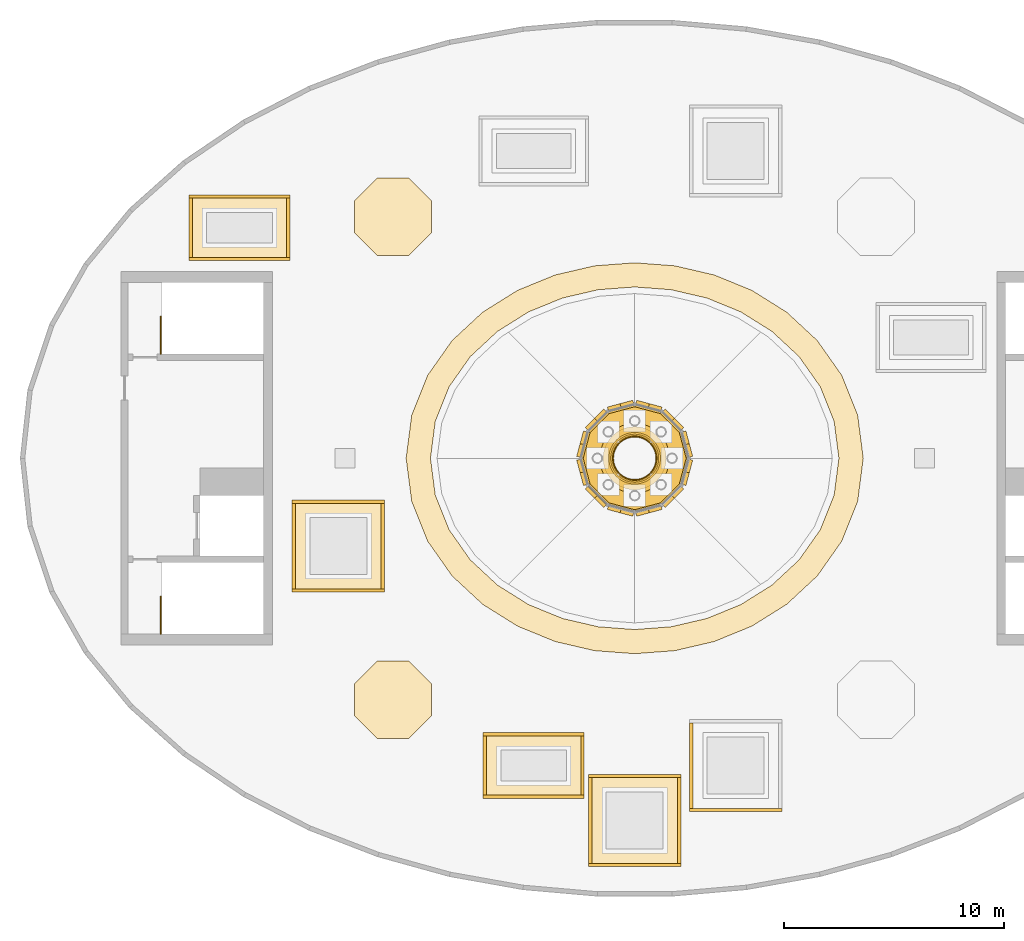
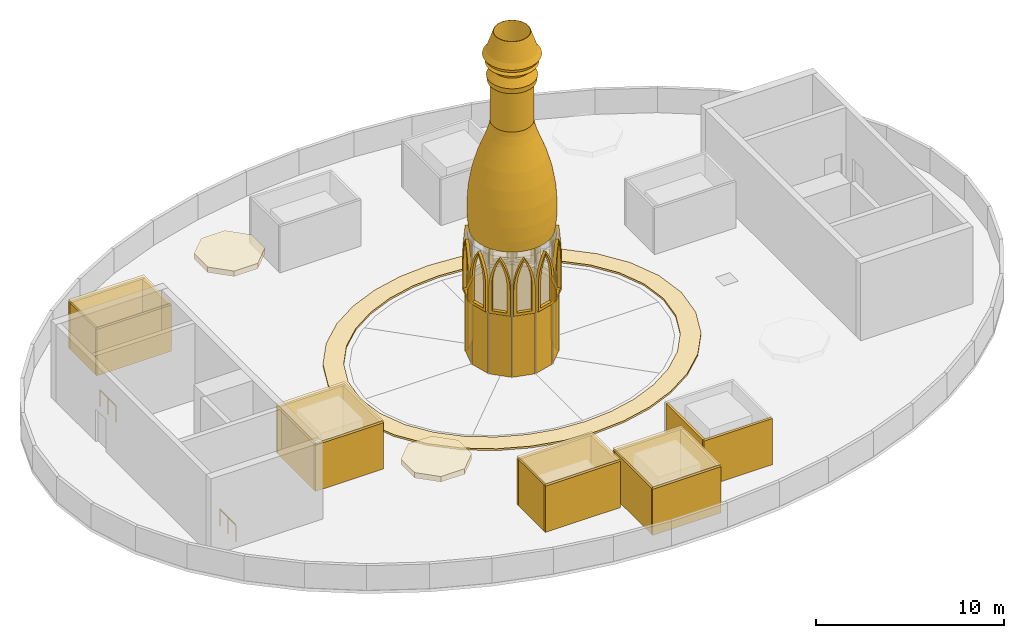
# One storey, part 5 of 7: 41 coverings, 12 shading devices, 2 railings, 12 elements without a shape of their own.
"""IFC4 building model written with IfcOpenShell, lengths in metres."""

import ifcopenshell
import ifcopenshell.guid

model = None  # the IFC model being written
_history = None  # IfcOwnerHistory: only IFC2X3 demands one
_inside = {}  # id of a spatial element -> (the spatial element, [elements in it])
_under = {}  # id of a project, library or spatial element -> (it, [spatial elements below it])
_declared = {}  # id of a project -> (the project, [libraries it declares])
_typed = {}  # id of a type object -> (the type object, [elements of that type])
_made_of = {}  # id of a material, layer set ... -> (it, [elements and type objects made of it])


def new_model(schema):
    """Start an empty IFC model of exactly this schema.

    Asked for "IFC4X3", IfcOpenShell would pick the latest addendum, in which some entities
    have other attributes; the version numbers below select the first issue.
    IFC2X3 requires an IfcOwnerHistory on every rooted entity: one is made here for all.
    """
    global model, _history
    if schema == "IFC4X3":
        model = ifcopenshell.file(schema_version=(4, 3, 0, 0))
    else:
        model = ifcopenshell.file(schema=schema)
    _inside.clear()
    _under.clear()
    _declared.clear()
    _typed.clear()
    _made_of.clear()
    _history = None
    if model.schema == "IFC2X3":
        org = make("IfcOrganization", Name="unknown")
        user = make(
            "IfcPersonAndOrganization",
            ThePerson=make("IfcPerson", FamilyName="unknown"),
            TheOrganization=org,
        )
        app = make(
            "IfcApplication",
            ApplicationDeveloper=org,
            Version="unknown",
            ApplicationFullName="unknown",
            ApplicationIdentifier="unknown",
        )
        _history = make(
            "IfcOwnerHistory",
            OwningUser=user,
            OwningApplication=app,
            ChangeAction="ADDED",
            CreationDate=0,
        )
    return model


def make(cls, **values):
    """One entity of the class cls with the attributes given. An attribute that is None is left unset."""
    return model.create_entity(
        cls, **{name: value for name, value in values.items() if value is not None}
    )


def entity(cls, *values):
    """Any entity or typed value of the class cls, its attributes in the order of the schema. None: left unset."""
    e = model.create_entity(cls)
    for i, value in enumerate(values):
        if value is not None:
            e[i] = value
    return e


def rooted(cls, **values):
    """An entity with a GlobalId (a new one), such as an element, a storey or a relation."""
    return make(cls, GlobalId=ifcopenshell.guid.new(), OwnerHistory=_history, **values)


def si_unit(unit_type, name, prefix=None):
    """IfcSIUnit, for example si_unit("LENGTHUNIT", "METRE", prefix="MILLI")."""
    return make("IfcSIUnit", UnitType=unit_type, Prefix=prefix, Name=name)


def assignment(units):
    """IfcUnitAssignment: the units of a project."""
    return None if units is None else make("IfcUnitAssignment", Units=units)


def point(xyz):
    """IfcCartesianPoint."""
    return None if xyz is None else make("IfcCartesianPoint", Coordinates=xyz)


def direction(xyz):
    """IfcDirection."""
    return None if xyz is None else make("IfcDirection", DirectionRatios=xyz)


def frame(location, z_axis=None, x_axis=None):
    """IfcAxis2Placement3D, a coordinate frame: its origin and axes. An axis left out is left unset."""
    return make(
        "IfcAxis2Placement3D",
        Location=point(location),
        Axis=direction(z_axis),
        RefDirection=direction(x_axis),
    )


def frame_2d(location, x_axis=None):
    """IfcAxis2Placement2D, a coordinate frame in the plane: its origin and x axis."""
    return make(
        "IfcAxis2Placement2D", Location=point(location), RefDirection=direction(x_axis)
    )


def origin():
    """The frame at (0, 0, 0) with its axes left unset."""
    return frame((0.0, 0.0, 0.0))


def origin_2d():
    """The frame at (0, 0) in the plane with its x axis left unset."""
    return frame_2d((0.0, 0.0))


def place(relative_to, where):
    """IfcLocalPlacement: puts the frame where relative to a parent placement (None: the world)."""
    return make(
        "IfcLocalPlacement", PlacementRelTo=relative_to, RelativePlacement=where
    )


def context(
    kind, dimensions, precision=None, world=None, true_north=None, identifier=None
):
    """IfcGeometricRepresentationContext, for example the 3D "Model" context."""
    return make(
        "IfcGeometricRepresentationContext",
        ContextIdentifier=identifier,
        ContextType=kind,
        CoordinateSpaceDimension=dimensions,
        Precision=precision,
        WorldCoordinateSystem=world,
        TrueNorth=true_north,
    )


def subcontext(parent, identifier, kind, view, scale=None):
    """IfcGeometricRepresentationSubContext, for example "Body" below "Model"."""
    return make(
        "IfcGeometricRepresentationSubContext",
        ContextIdentifier=identifier,
        ContextType=kind,
        ParentContext=parent,
        TargetScale=scale,
        TargetView=view,
    )


def project(units=None, contexts=None):
    """IfcProject with its units and contexts."""
    return rooted(
        "IfcProject",
        Name="project",
        RepresentationContexts=contexts,
        UnitsInContext=assignment(units),
    )


def spatial(cls, under=None, at=None, **own):
    """A site, building, storey or space (cls), placed at a placement, below another one or the project."""
    s = rooted(cls, ObjectPlacement=at, **own)
    if under is not None:
        _under.setdefault(under.id(), (under, []))[1].append(s)
    return s


def polyline(points):
    """IfcPolyline through the points."""
    return make("IfcPolyline", Points=[point(p) for p in points])


def profile(cls, at=None, kind="AREA", **sizes):
    """A parametric profile (cls). Its sizes go by their IFC names, for example OverallWidth=200.0."""
    return make(cls, ProfileType=kind, Position=at, **sizes)


def rectangle(**sizes):
    """IfcRectangleProfileDef."""
    return profile("IfcRectangleProfileDef", **sizes)


def outline(outer, holes=None, kind="AREA"):
    """IfcArbitraryClosedProfileDef: a profile drawn as a closed curve; with holes, ...WithVoids."""
    if holes is None:
        return make("IfcArbitraryClosedProfileDef", ProfileType=kind, OuterCurve=outer)
    return make(
        "IfcArbitraryProfileDefWithVoids",
        ProfileType=kind,
        OuterCurve=outer,
        InnerCurves=holes,
    )


def extrude(swept, where, along, depth):
    """IfcExtrudedAreaSolid: the profile swept, set in the frame where, extruded along a direction by depth."""
    return make(
        "IfcExtrudedAreaSolid",
        SweptArea=swept,
        Position=where,
        ExtrudedDirection=direction(along),
        Depth=depth,
    )


def shape(context_of_items, identifier, shape_type, items):
    """IfcShapeRepresentation: the items that make up one representation, for example the "Body"."""
    return make(
        "IfcShapeRepresentation",
        ContextOfItems=context_of_items,
        RepresentationIdentifier=identifier,
        RepresentationType=shape_type,
        Items=items,
    )


def material(Name=None, Category=None):
    """IfcMaterial."""
    return make("IfcMaterial", Name=Name, Category=Category)


def layer(
    of_material, thickness, ventilated=None, Name=None, Category=None, Priority=None
):
    """IfcMaterialLayer: one layer of a wall or slab, of a material (None: an air gap)."""
    return make(
        "IfcMaterialLayer",
        Material=of_material,
        LayerThickness=thickness,
        IsVentilated=ventilated,
        Name=Name,
        Category=Category,
        Priority=Priority,
    )


def layer_set(layers, Name=None):
    """IfcMaterialLayerSet."""
    return make("IfcMaterialLayerSet", MaterialLayers=layers, LayerSetName=Name)


def made_of(thing, what):
    """Note that an element or type object is made of a material, layer set ...; save() writes the relation."""
    if what is not None:
        _made_of.setdefault(what.id(), (what, []))[1].append(thing)
    return thing


def type_object(cls, material=None, **own):
    """A type object (cls), such as IfcWallType, which elements share."""
    return made_of(rooted(cls, **own), material)


def element(
    cls,
    number,
    at=None,
    inside=None,
    cuts=None,
    type_object=None,
    material=None,
    context=None,
    identifier="Body",
    shape_type=None,
    held_by="IfcProductDefinitionShape",
    body=None,
    shapes=None,
    **own,
):
    """One element of the class cls, such as IfcWall. Its Tag is "e" and its number.

    at: its placement. inside: the storey or other place that contains it. cuts: it is an
    opening in that element (IfcRelVoidsElement). A single representation is given by context,
    identifier, shape_type and body (its items); several are given by shapes. held_by: the class
    of the entity that holds the representations. save() writes the other relations.
    """
    e = rooted(cls, Tag="e%d" % number, ObjectPlacement=at, **own)
    if body is not None:
        shapes = [shape(context, identifier, shape_type, body)]
    if shapes is not None:
        e.Representation = make(held_by, Representations=shapes)
    if inside is not None:
        _inside.setdefault(inside.id(), (inside, []))[1].append(e)
    if cuts is not None:
        rooted(
            "IfcRelVoidsElement", RelatingBuildingElement=cuts, RelatedOpeningElement=e
        )
    if type_object is not None:
        _typed.setdefault(type_object.id(), (type_object, []))[1].append(e)
    return made_of(e, material)


def aggregate(whole, parts):
    """IfcRelAggregates: a whole, such as a stair, and the parts it consists of."""
    return rooted("IfcRelAggregates", RelatingObject=whole, RelatedObjects=parts)


def save(model, path):
    """Write the relations noted so far, then the file.

    IfcRelAggregates (storeys below a building ...), IfcRelContainedInSpatialStructure (elements
    in a storey), IfcRelDefinesByType, IfcRelAssociatesMaterial and IfcRelDeclares: one each for
    every whole, place, type object, material and project.
    """
    for whole, parts in _under.values():
        aggregate(whole, parts)
    for where, things in _inside.values():
        rooted(
            "IfcRelContainedInSpatialStructure",
            RelatedElements=things,
            RelatingStructure=where,
        )
    for kind, things in _typed.values():
        rooted("IfcRelDefinesByType", RelatedObjects=things, RelatingType=kind)
    for what, things in _made_of.values():
        rooted("IfcRelAssociatesMaterial", RelatedObjects=things, RelatingMaterial=what)
    for by, libraries in _declared.values():
        rooted("IfcRelDeclares", RelatingContext=by, RelatedDefinitions=libraries)
    model.write(path)


model = new_model("IFC4")

# Units and contexts
model_context = context("Model", 3, precision=1e-05, world=origin(), true_north=direction((0.0, 1.0)))
body_context = subcontext(model_context, "Body", "Model", "MODEL_VIEW")
ifc_project = project(units=[si_unit("LENGTHUNIT", "METRE"), si_unit("AREAUNIT", "SQUARE_METRE"), si_unit("VOLUMEUNIT", "CUBIC_METRE"), si_unit("PLANEANGLEUNIT", "RADIAN"), si_unit("MASSUNIT", "GRAM", prefix="KILO")], contexts=[model_context])

# Site, building, storey
site_placement = place(None, origin())
site = spatial("IfcSite", under=ifc_project, at=site_placement, CompositionType="ELEMENT")
building_placement = place(site_placement, origin())
building = spatial("IfcBuilding", under=site, at=building_placement, Name="Noorbagh Ring Tower", CompositionType="ELEMENT")
storey_placement = place(building_placement, frame((0.0, 0.0, 356.5)))
storey = spatial("IfcBuildingStorey", under=building, at=storey_placement, Name="L78", CompositionType="ELEMENT", Elevation=356.5)

# Railings
ifc_material_1 = material(Name="Stainless steel", Category="steel")
railing_type = type_object("IfcRailingType", Name="CORE-STAIR-GUARD", PredefinedType="GUARDRAIL", material=ifc_material_1)
for number, where, name in (
    (1, (-21.580078125, 4.75, 0.0), "L78 ST1 top well guard"),
    (2, (-21.580078125, -8.0, 0.0), "L78 ST2 top well guard"),
):
    element("IfcRailing", number, at=place(storey_placement, frame(where)), inside=storey, type_object=railing_type, Name=name, PredefinedType="GUARDRAIL", context=body_context, shape_type="SweptSolid", body=[
        extrude(rectangle(XDim=0.048095703125, YDim=0.048095703125, at=origin_2d()), frame((0.0, 0.0, 1.076171875), z_axis=(0.0, 1.0, 0.0), x_axis=(-1.0, 0.0, 0.0)), (0.0, 0.0, 1.0), 1.699951171875),
        extrude(rectangle(XDim=0.0419921875, YDim=0.0419921875, at=origin_2d()), origin(), (0.0, 0.0, 1.0), 1.052001953125),
        extrude(rectangle(XDim=0.0419921875, YDim=0.0419921875, at=origin_2d()), frame((0.0, 0.85009765625, 0.0)), (0.0, 0.0, 1.0), 1.052001953125),
        extrude(rectangle(XDim=0.0419921875, YDim=0.0419921875, at=origin_2d()), frame((0.0, 1.699951171875, 0.0)), (0.0, 0.0, 1.0), 1.052001953125),
    ])

# Curtain wall, covering
ifc_material_2 = material(Name="Aluminium 6063-T6 black anodised and glass", Category="aluminium")
ifc_layer_1 = layer(ifc_material_2, 0.14990234375)
ifc_layer_set_1 = layer_set([ifc_layer_1], Name="Aluminium 6063-T6 black anodised and glass")
curtain_wall_type = type_object("IfcCurtainWallType", Name="ENV-CW-D", PredefinedType="NOTDEFINED", material=ifc_layer_set_1)
curtain_wall_1_placement = place(storey_placement, origin())
curtain_wall_1 = element("IfcCurtainWall", 3, at=curtain_wall_1_placement, inside=storey, type_object=curtain_wall_type, Name="Curtain wall D drum 01", PredefinedType="NOTDEFINED")
ifc_material_3 = material(Name="Aluminium 6063-T6 black anodised", Category="aluminium")
ifc_layer_2 = layer(ifc_material_3, 0.14990234375)
ifc_layer_set_2 = layer_set([ifc_layer_2], Name="Aluminium 6063-T6 black anodised")
covering_type_1 = type_object("IfcCoveringType", Name="ENV-LOUVRE-DRUM", PredefinedType="CLADDING", material=ifc_layer_set_2)
covering_1_placement = place(storey_placement, frame((2.260009765625, 0.60546875, 0.0), z_axis=(0.0, 0.0, 1.0), x_axis=(-0.258819045103, 0.965925826289, 0.0)))
covering_1 = element("IfcCovering", 4, at=covering_1_placement, type_object=covering_type_1, Name="Louvre drum chord 01", ObjectType="LOUVRE", PredefinedType="CLADDING", context=body_context, shape_type="SweptSolid", body=[
    extrude(rectangle(XDim=1.2138671875, YDim=0.14990234375, at=origin_2d()), origin(), (0.0, 0.0, 1.0), 3.949951171875),
])
aggregate(curtain_wall_1, [covering_1])

curtain_wall_2_placement = place(storey_placement, origin())
curtain_wall_2 = element("IfcCurtainWall", 5, at=curtain_wall_2_placement, inside=storey, type_object=curtain_wall_type, Name="Curtain wall D drum 02", PredefinedType="NOTDEFINED")
covering_2_placement = place(storey_placement, frame((1.654541015625, 1.654541015625, 0.0), z_axis=(0.0, 0.0, 1.0), x_axis=(-0.707106781187, 0.707106781187, 0.0)))
covering_2 = element("IfcCovering", 6, at=covering_2_placement, type_object=covering_type_1, Name="Louvre drum chord 02", ObjectType="LOUVRE", PredefinedType="CLADDING", context=body_context, shape_type="SweptSolid", body=[
    extrude(rectangle(XDim=1.2138671875, YDim=0.14990234375, at=origin_2d()), origin(), (0.0, 0.0, 1.0), 3.949951171875),
])
aggregate(curtain_wall_2, [covering_2])

curtain_wall_3_placement = place(storey_placement, origin())
curtain_wall_3 = element("IfcCurtainWall", 7, at=curtain_wall_3_placement, inside=storey, type_object=curtain_wall_type, Name="Curtain wall D drum 03", PredefinedType="NOTDEFINED")
covering_3_placement = place(storey_placement, frame((0.60546875, 2.260009765625, 0.0), z_axis=(0.0, 0.0, 1.0), x_axis=(-0.965925826289, 0.258819045103, 0.0)))
covering_3 = element("IfcCovering", 8, at=covering_3_placement, type_object=covering_type_1, Name="Louvre drum chord 03", ObjectType="LOUVRE", PredefinedType="CLADDING", context=body_context, shape_type="SweptSolid", body=[
    extrude(rectangle(XDim=1.2138671875, YDim=0.14990234375, at=origin_2d()), origin(), (0.0, 0.0, 1.0), 3.949951171875),
])
aggregate(curtain_wall_3, [covering_3])

curtain_wall_4_placement = place(storey_placement, origin())
curtain_wall_4 = element("IfcCurtainWall", 9, at=curtain_wall_4_placement, inside=storey, type_object=curtain_wall_type, Name="Curtain wall D drum 04", PredefinedType="NOTDEFINED")
covering_4_placement = place(storey_placement, frame((-0.60546875, 2.260009765625, 0.0), z_axis=(0.0, 0.0, 1.0), x_axis=(-0.965925826289, -0.258819045103, 0.0)))
covering_4 = element("IfcCovering", 10, at=covering_4_placement, type_object=covering_type_1, Name="Louvre drum chord 04", ObjectType="LOUVRE", PredefinedType="CLADDING", context=body_context, shape_type="SweptSolid", body=[
    extrude(rectangle(XDim=1.2138671875, YDim=0.14990234375, at=origin_2d()), origin(), (0.0, 0.0, 1.0), 3.949951171875),
])
aggregate(curtain_wall_4, [covering_4])

curtain_wall_5_placement = place(storey_placement, origin())
curtain_wall_5 = element("IfcCurtainWall", 11, at=curtain_wall_5_placement, inside=storey, type_object=curtain_wall_type, Name="Curtain wall D drum 05", PredefinedType="NOTDEFINED")
covering_5_placement = place(storey_placement, frame((-1.654541015625, 1.654541015625, 0.0), z_axis=(0.0, 0.0, 1.0), x_axis=(-0.707106781187, -0.707106781187, 0.0)))
covering_5 = element("IfcCovering", 12, at=covering_5_placement, type_object=covering_type_1, Name="Louvre drum chord 05", ObjectType="LOUVRE", PredefinedType="CLADDING", context=body_context, shape_type="SweptSolid", body=[
    extrude(rectangle(XDim=1.2138671875, YDim=0.14990234375, at=origin_2d()), origin(), (0.0, 0.0, 1.0), 3.949951171875),
])
aggregate(curtain_wall_5, [covering_5])

curtain_wall_6_placement = place(storey_placement, origin())
curtain_wall_6 = element("IfcCurtainWall", 13, at=curtain_wall_6_placement, inside=storey, type_object=curtain_wall_type, Name="Curtain wall D drum 06", PredefinedType="NOTDEFINED")
covering_6_placement = place(storey_placement, frame((-2.260009765625, 0.60546875, 0.0), z_axis=(0.0, 0.0, 1.0), x_axis=(-0.258819045103, -0.965925826289, 0.0)))
covering_6 = element("IfcCovering", 14, at=covering_6_placement, type_object=covering_type_1, Name="Louvre drum chord 06", ObjectType="LOUVRE", PredefinedType="CLADDING", context=body_context, shape_type="SweptSolid", body=[
    extrude(rectangle(XDim=1.2138671875, YDim=0.14990234375, at=origin_2d()), origin(), (0.0, 0.0, 1.0), 3.949951171875),
])
aggregate(curtain_wall_6, [covering_6])

curtain_wall_7_placement = place(storey_placement, origin())
curtain_wall_7 = element("IfcCurtainWall", 15, at=curtain_wall_7_placement, inside=storey, type_object=curtain_wall_type, Name="Curtain wall D drum 07", PredefinedType="NOTDEFINED")
covering_7_placement = place(storey_placement, frame((-2.260009765625, -0.60546875, 0.0), z_axis=(0.0, 0.0, 1.0), x_axis=(0.258819045103, -0.965925826289, 0.0)))
covering_7 = element("IfcCovering", 16, at=covering_7_placement, type_object=covering_type_1, Name="Louvre drum chord 07", ObjectType="LOUVRE", PredefinedType="CLADDING", context=body_context, shape_type="SweptSolid", body=[
    extrude(rectangle(XDim=1.2138671875, YDim=0.14990234375, at=origin_2d()), origin(), (0.0, 0.0, 1.0), 3.949951171875),
])
aggregate(curtain_wall_7, [covering_7])

curtain_wall_8_placement = place(storey_placement, origin())
curtain_wall_8 = element("IfcCurtainWall", 17, at=curtain_wall_8_placement, inside=storey, type_object=curtain_wall_type, Name="Curtain wall D drum 08", PredefinedType="NOTDEFINED")
covering_8_placement = place(storey_placement, frame((-1.654541015625, -1.654541015625, 0.0), z_axis=(0.0, 0.0, 1.0), x_axis=(0.707106781187, -0.707106781187, 0.0)))
covering_8 = element("IfcCovering", 18, at=covering_8_placement, type_object=covering_type_1, Name="Louvre drum chord 08", ObjectType="LOUVRE", PredefinedType="CLADDING", context=body_context, shape_type="SweptSolid", body=[
    extrude(rectangle(XDim=1.2138671875, YDim=0.14990234375, at=origin_2d()), origin(), (0.0, 0.0, 1.0), 3.949951171875),
])
aggregate(curtain_wall_8, [covering_8])

curtain_wall_9_placement = place(storey_placement, origin())
curtain_wall_9 = element("IfcCurtainWall", 19, at=curtain_wall_9_placement, inside=storey, type_object=curtain_wall_type, Name="Curtain wall D drum 09", PredefinedType="NOTDEFINED")
covering_9_placement = place(storey_placement, frame((-0.60546875, -2.260009765625, 0.0), z_axis=(0.0, 0.0, 1.0), x_axis=(0.965925826289, -0.258819045103, 0.0)))
covering_9 = element("IfcCovering", 20, at=covering_9_placement, type_object=covering_type_1, Name="Louvre drum chord 09", ObjectType="LOUVRE", PredefinedType="CLADDING", context=body_context, shape_type="SweptSolid", body=[
    extrude(rectangle(XDim=1.2138671875, YDim=0.14990234375, at=origin_2d()), origin(), (0.0, 0.0, 1.0), 3.949951171875),
])
aggregate(curtain_wall_9, [covering_9])

curtain_wall_10_placement = place(storey_placement, origin())
curtain_wall_10 = element("IfcCurtainWall", 21, at=curtain_wall_10_placement, inside=storey, type_object=curtain_wall_type, Name="Curtain wall D drum 10", PredefinedType="NOTDEFINED")
covering_10_placement = place(storey_placement, frame((0.60546875, -2.260009765625, 0.0), z_axis=(0.0, 0.0, 1.0), x_axis=(0.965925826289, 0.258819045103, 0.0)))
covering_10 = element("IfcCovering", 22, at=covering_10_placement, type_object=covering_type_1, Name="Louvre drum chord 10", ObjectType="LOUVRE", PredefinedType="CLADDING", context=body_context, shape_type="SweptSolid", body=[
    extrude(rectangle(XDim=1.2138671875, YDim=0.14990234375, at=origin_2d()), origin(), (0.0, 0.0, 1.0), 3.949951171875),
])
aggregate(curtain_wall_10, [covering_10])

curtain_wall_11_placement = place(storey_placement, origin())
curtain_wall_11 = element("IfcCurtainWall", 23, at=curtain_wall_11_placement, inside=storey, type_object=curtain_wall_type, Name="Curtain wall D drum 11", PredefinedType="NOTDEFINED")
covering_11_placement = place(storey_placement, frame((1.654541015625, -1.654541015625, 0.0), z_axis=(0.0, 0.0, 1.0), x_axis=(0.707106781187, 0.707106781187, 0.0)))
covering_11 = element("IfcCovering", 24, at=covering_11_placement, type_object=covering_type_1, Name="Louvre drum chord 11", ObjectType="LOUVRE", PredefinedType="CLADDING", context=body_context, shape_type="SweptSolid", body=[
    extrude(rectangle(XDim=1.2138671875, YDim=0.14990234375, at=origin_2d()), origin(), (0.0, 0.0, 1.0), 3.949951171875),
])
aggregate(curtain_wall_11, [covering_11])

curtain_wall_12_placement = place(storey_placement, origin())
curtain_wall_12 = element("IfcCurtainWall", 25, at=curtain_wall_12_placement, inside=storey, type_object=curtain_wall_type, Name="Curtain wall D drum 12", PredefinedType="NOTDEFINED")
covering_12_placement = place(storey_placement, frame((2.260009765625, -0.60546875, 0.0), z_axis=(0.0, 0.0, 1.0), x_axis=(0.258819045103, 0.965925826289, 0.0)))
covering_12 = element("IfcCovering", 26, at=covering_12_placement, type_object=covering_type_1, Name="Louvre drum chord 12", ObjectType="LOUVRE", PredefinedType="CLADDING", context=body_context, shape_type="SweptSolid", body=[
    extrude(rectangle(XDim=1.2138671875, YDim=0.14990234375, at=origin_2d()), origin(), (0.0, 0.0, 1.0), 3.949951171875),
])
aggregate(curtain_wall_12, [covering_12])

# Coverings
ifc_material_4 = material(Name="Aluminium 6063-T6 black anodised", Category="aluminium")
ifc_layer_3 = layer(ifc_material_4, 0.14990234375)
ifc_layer_set_3 = layer_set([ifc_layer_3], Name="Aluminium 6063-T6 black anodised")
covering_type_2 = type_object("IfcCoveringType", Name="ENV-PLANT-LOUVRE", PredefinedType="CLADDING", material=ifc_layer_set_3)
for number, where, z_axis, x_axis, name in (
    (27, (-13.5, -1.97509765625, 0.0), (0.0, 0.0, 1.0), (1.0, 0.0, 0.0), "Louvre screen 2.1"),
    (28, (-13.5, -6.02490234375, 0.0), (0.0, 0.0, 1.0), (1.0, 0.0, 0.0), "Louvre screen 2.2"),
):
    element("IfcCovering", number, at=place(storey_placement, frame(where, z_axis=z_axis, x_axis=x_axis)), inside=storey, type_object=covering_type_2, Name=name, ObjectType="LOUVRE", PredefinedType="CLADDING", context=body_context, shape_type="SweptSolid", body=[
        extrude(rectangle(XDim=4.199951171875, YDim=0.14990234375, at=origin_2d()), origin(), (0.0, 0.0, 1.0), 3.0),
    ])
for number, where, z_axis, x_axis, name in (
    (29, (-11.47509765625, -4.0, 0.0), (0.0, 0.0, 1.0), (1.0, 0.0, 0.0), "Louvre screen 2.3"),
    (30, (-15.52490234375, -4.0, 0.0), (0.0, 0.0, 1.0), (1.0, 0.0, 0.0), "Louvre screen 2.4"),
):
    element("IfcCovering", number, at=place(storey_placement, frame(where, z_axis=z_axis, x_axis=x_axis)), inside=storey, type_object=covering_type_2, Name=name, ObjectType="LOUVRE", PredefinedType="CLADDING", context=body_context, shape_type="SweptSolid", body=[
        extrude(rectangle(XDim=0.14990234375, YDim=3.89990234375, at=origin_2d()), origin(), (0.0, 0.0, 1.0), 3.0),
    ])
for number, where, z_axis, x_axis, name in (
    (31, (-18.0, 11.925048828125, 0.0), (0.0, 0.0, 1.0), (1.0, 0.0, 0.0), "Louvre screen 3.1"),
    (32, (-18.0, 9.074951171875, 0.0), (0.0, 0.0, 1.0), (1.0, 0.0, 0.0), "Louvre screen 3.2"),
):
    element("IfcCovering", number, at=place(storey_placement, frame(where, z_axis=z_axis, x_axis=x_axis)), inside=storey, type_object=covering_type_2, Name=name, ObjectType="LOUVRE", PredefinedType="CLADDING", context=body_context, shape_type="SweptSolid", body=[
        extrude(rectangle(XDim=4.60009765625, YDim=0.14990234375, at=origin_2d()), origin(), (0.0, 0.0, 1.0), 3.0),
    ])
for number, where, z_axis, x_axis, name in (
    (33, (-15.77490234375, 10.5, 0.0), (0.0, 0.0, 1.0), (1.0, 0.0, 0.0), "Louvre screen 3.3"),
    (34, (-20.22509765625, 10.5, 0.0), (0.0, 0.0, 1.0), (1.0, 0.0, 0.0), "Louvre screen 3.4"),
):
    element("IfcCovering", number, at=place(storey_placement, frame(where, z_axis=z_axis, x_axis=x_axis)), inside=storey, type_object=covering_type_2, Name=name, ObjectType="LOUVRE", PredefinedType="CLADDING", context=body_context, shape_type="SweptSolid", body=[
        extrude(rectangle(XDim=0.14990234375, YDim=2.699951171875, at=origin_2d()), origin(), (0.0, 0.0, 1.0), 3.0),
    ])
for number, where, z_axis, x_axis, name in (
    (35, (0.0, -14.47509765625, 0.0), (0.0, 0.0, 1.0), (1.0, 0.0, 0.0), "Louvre screen 4.1"),
    (36, (0.0, -18.52490234375, 0.0), (0.0, 0.0, 1.0), (1.0, 0.0, 0.0), "Louvre screen 4.2"),
):
    element("IfcCovering", number, at=place(storey_placement, frame(where, z_axis=z_axis, x_axis=x_axis)), inside=storey, type_object=covering_type_2, Name=name, ObjectType="LOUVRE", PredefinedType="CLADDING", context=body_context, shape_type="SweptSolid", body=[
        extrude(rectangle(XDim=4.199951171875, YDim=0.14990234375, at=origin_2d()), origin(), (0.0, 0.0, 1.0), 3.0),
    ])
for number, where, z_axis, x_axis, name in (
    (37, (2.02490234375, -16.5, 0.0), (0.0, 0.0, 1.0), (1.0, 0.0, 0.0), "Louvre screen 4.3"),
    (38, (-2.02490234375, -16.5, 0.0), (0.0, 0.0, 1.0), (1.0, 0.0, 0.0), "Louvre screen 4.4"),
):
    element("IfcCovering", number, at=place(storey_placement, frame(where, z_axis=z_axis, x_axis=x_axis)), inside=storey, type_object=covering_type_2, Name=name, ObjectType="LOUVRE", PredefinedType="CLADDING", context=body_context, shape_type="SweptSolid", body=[
        extrude(rectangle(XDim=0.14990234375, YDim=3.89990234375, at=origin_2d()), origin(), (0.0, 0.0, 1.0), 3.0),
    ])
for number, where, z_axis, x_axis, name in (
    (39, (-4.60009765625, -12.574951171875, 0.0), (0.0, 0.0, 1.0), (1.0, 0.0, 0.0), "Louvre screen 7.1"),
    (40, (-4.60009765625, -15.425048828125, 0.0), (0.0, 0.0, 1.0), (1.0, 0.0, 0.0), "Louvre screen 7.2"),
):
    element("IfcCovering", number, at=place(storey_placement, frame(where, z_axis=z_axis, x_axis=x_axis)), inside=storey, type_object=covering_type_2, Name=name, ObjectType="LOUVRE", PredefinedType="CLADDING", context=body_context, shape_type="SweptSolid", body=[
        extrude(rectangle(XDim=4.60009765625, YDim=0.14990234375, at=origin_2d()), origin(), (0.0, 0.0, 1.0), 3.0),
    ])
for number, where, z_axis, x_axis, name in (
    (41, (-2.375, -14.0, 0.0), (0.0, 0.0, 1.0), (1.0, 0.0, 0.0), "Louvre screen 7.3"),
    (42, (-6.824951171875, -14.0, 0.0), (0.0, 0.0, 1.0), (1.0, 0.0, 0.0), "Louvre screen 7.4"),
):
    element("IfcCovering", number, at=place(storey_placement, frame(where, z_axis=z_axis, x_axis=x_axis)), inside=storey, type_object=covering_type_2, Name=name, ObjectType="LOUVRE", PredefinedType="CLADDING", context=body_context, shape_type="SweptSolid", body=[
        extrude(rectangle(XDim=0.14990234375, YDim=2.699951171875, at=origin_2d()), origin(), (0.0, 0.0, 1.0), 3.0),
    ])
covering_13_placement = place(storey_placement, frame((4.60009765625, -16.02490234375, 0.0), z_axis=(0.0, 0.0, 1.0), x_axis=(1.0, 0.0, 0.0)))
element("IfcCovering", 43, at=covering_13_placement, inside=storey, type_object=covering_type_2, Name="Louvre screen 8.2", ObjectType="LOUVRE", PredefinedType="CLADDING", context=body_context, shape_type="SweptSolid", body=[
    extrude(rectangle(XDim=4.199951171875, YDim=0.14990234375, at=origin_2d()), origin(), (0.0, 0.0, 1.0), 3.0),
])
covering_14_placement = place(storey_placement, frame((2.574951171875, -14.0, 0.0), z_axis=(0.0, 0.0, 1.0), x_axis=(1.0, 0.0, 0.0)))
element("IfcCovering", 44, at=covering_14_placement, inside=storey, type_object=covering_type_2, Name="Louvre screen 8.4", ObjectType="LOUVRE", PredefinedType="CLADDING", context=body_context, shape_type="SweptSolid", body=[
    extrude(rectangle(XDim=0.14990234375, YDim=3.89990234375, at=origin_2d()), origin(), (0.0, 0.0, 1.0), 3.0),
])
ifc_material_5 = material(Name="Aluminium 6063-T6 black anodised", Category="aluminium")
ifc_layer_4 = layer(ifc_material_5, 0.14990234375)
ifc_layer_set_4 = layer_set([ifc_layer_4], Name="Aluminium 6063-T6 black anodised")
covering_type_3 = type_object("IfcCoveringType", Name="ENV-PLANT-ROOF", PredefinedType="ROOFING", material=ifc_layer_set_4)
covering_15_placement = place(storey_placement, frame((-13.5, -4.0, 3.0), z_axis=(0.0, 0.0, 1.0), x_axis=(1.0, 0.0, 0.0)))
element("IfcCovering", 45, at=covering_15_placement, inside=storey, type_object=covering_type_3, Name="Plant enclosure roof 2", PredefinedType="ROOFING", context=body_context, shape_type="SweptSolid", body=[
    extrude(rectangle(XDim=4.199951171875, YDim=4.199951171875, at=origin_2d()), origin(), (0.0, 0.0, 1.0), 0.14990234375),
])
covering_16_placement = place(storey_placement, frame((-18.0, 10.5, 3.0), z_axis=(0.0, 0.0, 1.0), x_axis=(1.0, 0.0, 0.0)))
element("IfcCovering", 46, at=covering_16_placement, inside=storey, type_object=covering_type_3, Name="Plant enclosure roof 3", PredefinedType="ROOFING", context=body_context, shape_type="SweptSolid", body=[
    extrude(rectangle(XDim=4.60009765625, YDim=3.0, at=origin_2d()), origin(), (0.0, 0.0, 1.0), 0.14990234375),
])
covering_17_placement = place(storey_placement, frame((0.0, -16.5, 3.0), z_axis=(0.0, 0.0, 1.0), x_axis=(1.0, 0.0, 0.0)))
element("IfcCovering", 47, at=covering_17_placement, inside=storey, type_object=covering_type_3, Name="Plant enclosure roof 4", PredefinedType="ROOFING", context=body_context, shape_type="SweptSolid", body=[
    extrude(rectangle(XDim=4.199951171875, YDim=4.199951171875, at=origin_2d()), origin(), (0.0, 0.0, 1.0), 0.14990234375),
])
covering_18_placement = place(storey_placement, frame((-4.60009765625, -14.0, 3.0), z_axis=(0.0, 0.0, 1.0), x_axis=(1.0, 0.0, 0.0)))
element("IfcCovering", 48, at=covering_18_placement, inside=storey, type_object=covering_type_3, Name="Plant enclosure roof 7", PredefinedType="ROOFING", context=body_context, shape_type="SweptSolid", body=[
    extrude(rectangle(XDim=4.60009765625, YDim=3.0, at=origin_2d()), origin(), (0.0, 0.0, 1.0), 0.14990234375),
])
ifc_material_6 = material(Name="Black granite coping", Category="masonry")
ifc_layer_5 = layer(ifc_material_6, 0.1201171875)
ifc_layer_set_5 = layer_set([ifc_layer_5], Name="Black granite coping")
covering_type_4 = type_object("IfcCoveringType", Name="ENV-WELL-COPING", PredefinedType="CLADDING", material=ifc_layer_set_5)
covering_19_placement = place(storey_placement, origin())
element("IfcCovering", 49, at=covering_19_placement, inside=storey, type_object=covering_type_4, Name="Well edge coping", ObjectType="COPING", PredefinedType="CLADDING", context=body_context, shape_type="SweptSolid", body=[
    extrude(outline(polyline([(10.411865234375, 0.0), (10.156982421875, 1.9609375), (9.4296875, 3.7802734375), (8.319091796875, 5.359619140625), (6.926513671875, 6.652587890625), (5.338623046875, 7.647705078125), (3.622802734375, 8.349365234375), (1.829345703125, 8.765869140625), (0.0, 8.904052734375), (-1.829345703125, 8.765869140625), (-3.622802734375, 8.349365234375), (-5.338623046875, 7.647705078125), (-6.926513671875, 6.652587890625), (-8.319091796875, 5.359619140625), (-9.4296875, 3.7802734375), (-10.156982421875, 1.9609375), (-10.411865234375, 0.0), (-10.156982421875, -1.9609375), (-9.4296875, -3.7802734375), (-8.319091796875, -5.359619140625), (-6.926513671875, -6.652587890625), (-5.338623046875, -7.647705078125), (-3.622802734375, -8.349365234375), (-1.829345703125, -8.765869140625), (0.0, -8.904052734375), (1.829345703125, -8.765869140625), (3.622802734375, -8.349365234375), (5.338623046875, -7.647705078125), (6.926513671875, -6.652587890625), (8.319091796875, -5.359619140625), (9.4296875, -3.7802734375), (10.156982421875, -1.9609375), (10.411865234375, 0.0)]), holes=[polyline([(9.302490234375, 0.0), (9.083984375, 1.681396484375), (8.4560546875, 3.252685546875), (7.486083984375, 4.63232421875), (6.25439453125, 5.77587890625), (4.8349609375, 6.665283203125), (3.287841796875, 7.2978515625), (1.66259765625, 7.67529296875), (0.0, 7.80078125), (-1.66259765625, 7.67529296875), (-3.287841796875, 7.2978515625), (-4.8349609375, 6.665283203125), (-6.25439453125, 5.77587890625), (-7.486083984375, 4.63232421875), (-8.4560546875, 3.252685546875), (-9.083984375, 1.681396484375), (-9.302490234375, 0.0), (-9.083984375, -1.681396484375), (-8.4560546875, -3.252685546875), (-7.486083984375, -4.63232421875), (-6.25439453125, -5.77587890625), (-4.8349609375, -6.665283203125), (-3.287841796875, -7.2978515625), (-1.66259765625, -7.67529296875), (0.0, -7.80078125), (1.66259765625, -7.67529296875), (3.287841796875, -7.2978515625), (4.8349609375, -6.665283203125), (6.25439453125, -5.77587890625), (7.486083984375, -4.63232421875), (8.4560546875, -3.252685546875), (9.083984375, -1.681396484375), (9.302490234375, 0.0)])]), origin(), (0.0, 0.0, 1.0), 0.1201171875),
])

# Shading devices
ifc_material_7 = material(Name="Sandstone cladding", Category="masonry")
ifc_layer_6 = layer(ifc_material_7, 0.159912109375)
ifc_layer_set_6 = layer_set([ifc_layer_6], Name="Sandstone cladding")
shading_device_type = type_object("IfcShadingDeviceType", Name="STYLE-ARCH-DRUM", PredefinedType="USERDEFINED", material=ifc_layer_set_6)
for number, where, z_axis, x_axis, name in (
    (50, (2.304931640625, 0.61767578125, 4.06005859375), (0.965925826289, 0.258819045103, 0.0), (-0.258819045103, 0.965925826289, 0.0), "Arch screen 1.1"),
    (51, (1.6875, 1.6875, 4.06005859375), (0.707106781187, 0.707106781187, 0.0), (-0.707106781187, 0.707106781187, 0.0), "Arch screen 1.2"),
    (52, (0.61767578125, 2.304931640625, 4.06005859375), (0.258819045103, 0.965925826289, 0.0), (-0.965925826289, 0.258819045103, 0.0), "Arch screen 1.3"),
    (53, (-0.61767578125, 2.304931640625, 4.06005859375), (-0.258819045103, 0.965925826289, 0.0), (-0.965925826289, -0.258819045103, 0.0), "Arch screen 2.1"),
    (54, (-1.6875, 1.6875, 4.06005859375), (-0.707106781187, 0.707106781187, 0.0), (-0.707106781187, -0.707106781187, 0.0), "Arch screen 2.2"),
    (55, (-2.304931640625, 0.61767578125, 4.06005859375), (-0.965925826289, 0.258819045103, 0.0), (-0.258819045103, -0.965925826289, 0.0), "Arch screen 2.3"),
    (56, (-2.304931640625, -0.61767578125, 4.06005859375), (-0.965925826289, -0.258819045103, 0.0), (0.258819045103, -0.965925826289, 0.0), "Arch screen 3.1"),
    (57, (-1.6875, -1.6875, 4.06005859375), (-0.707106781187, -0.707106781187, 0.0), (0.707106781187, -0.707106781187, 0.0), "Arch screen 3.2"),
    (58, (-0.61767578125, -2.304931640625, 4.06005859375), (-0.258819045103, -0.965925826289, 0.0), (0.965925826289, -0.258819045103, 0.0), "Arch screen 3.3"),
    (59, (0.61767578125, -2.304931640625, 4.06005859375), (0.258819045103, -0.965925826289, 0.0), (0.965925826289, 0.258819045103, 0.0), "Arch screen 4.1"),
    (60, (1.6875, -1.6875, 4.06005859375), (0.707106781187, -0.707106781187, 0.0), (0.707106781187, 0.707106781187, 0.0), "Arch screen 4.2"),
    (61, (2.304931640625, -0.61767578125, 4.06005859375), (0.965925826289, -0.258819045103, 0.0), (0.258819045103, 0.965925826289, 0.0), "Arch screen 4.3"),
):
    element("IfcShadingDevice", number, at=place(storey_placement, frame(where, z_axis=z_axis, x_axis=x_axis)), inside=storey, type_object=shading_device_type, Name=name, ObjectType="ARCH SCREEN", PredefinedType="USERDEFINED", context=body_context, shape_type="SweptSolid", body=[
        extrude(outline(polyline([(-0.596923828125, 0.0), (0.596923828125, 0.0), (0.596923828125, 1.633544921875), (0.58740234375, 1.8974609375), (0.55859375, 2.159912109375), (0.510986328125, 2.419921875), (0.444580078125, 2.67529296875), (0.35986328125, 2.925537109375), (0.257080078125, 3.1689453125), (0.136962890625, 3.404052734375), (0.0, 3.6298828125), (-0.136962890625, 3.404052734375), (-0.257080078125, 3.1689453125), (-0.35986328125, 2.925537109375), (-0.444580078125, 2.67529296875), (-0.510986328125, 2.419921875), (-0.55859375, 2.159912109375), (-0.58740234375, 1.8974609375), (-0.596923828125, 1.633544921875), (-0.596923828125, 0.0)]), holes=[polyline([(-0.4169921875, 0.179931640625), (0.4169921875, 0.179931640625), (0.4169921875, 1.8134765625), (0.410400390625, 2.02880859375), (0.390380859375, 2.243408203125), (0.357421875, 2.456298828125), (0.311279296875, 2.66650390625), (0.252197265625, 2.873779296875), (0.180419921875, 3.076904296875), (0.09619140625, 3.275146484375), (0.0, 3.468017578125), (-0.09619140625, 3.275146484375), (-0.180419921875, 3.076904296875), (-0.252197265625, 2.873779296875), (-0.311279296875, 2.66650390625), (-0.357421875, 2.456298828125), (-0.390380859375, 2.243408203125), (-0.410400390625, 2.02880859375), (-0.4169921875, 1.8134765625), (-0.4169921875, 0.179931640625)])]), origin(), (0.0, 0.0, 1.0), 0.18896484375),
    ])

# Coverings
ifc_material_8 = material(Name="Copper roofing patinated")
ifc_layer_7 = layer(ifc_material_8, 0.219970703125)
ifc_layer_set_7 = layer_set([ifc_layer_7], Name="Copper roofing patinated")
covering_type_5 = type_object("IfcCoveringType", Name="STYLE-CAP", PredefinedType="ROOFING", material=ifc_layer_set_7)
covering_20_placement = place(storey_placement, frame((0.0, 0.0, 17.60009765625), z_axis=(0.0, -1.0, 0.0), x_axis=(1.0, 0.0, 0.0)))
cartesian_point_1 = entity("IfcCartesianPoint", [1.324951171875, 0.0])
cartesian_point_2 = entity("IfcCartesianPoint", [0.0, 0.0, 0.0])
element("IfcCovering", 62, at=covering_20_placement, inside=storey, type_object=covering_type_5, Name="Lantern dome", PredefinedType="ROOFING", context=body_context, shape_type="SweptSolid", body=[
    entity("IfcRevolvedAreaSolid", entity("IfcArbitraryClosedProfileDef", "AREA", None, entity("IfcPolyline", [cartesian_point_1, entity("IfcCartesianPoint", [1.375, 0.35009765625]), entity("IfcCartesianPoint", [1.02490234375, 0.800048828125]), entity("IfcCartesianPoint", [1.4375, 1.199951171875]), entity("IfcCartesianPoint", [1.03759765625, 1.449951171875]), entity("IfcCartesianPoint", [0.987548828125, 1.449951171875]), entity("IfcCartesianPoint", [0.987548828125, 0.0]), cartesian_point_1])), entity("IfcAxis2Placement3D", cartesian_point_2), entity("IfcAxis1Placement", cartesian_point_2, entity("IfcDirection", [0.0, 1.0, 0.0])), 6.283185307179586),
])
ifc_material_9 = material(Name="Copper roofing patinated")
ifc_layer_8 = layer(ifc_material_9, 0.219970703125)
ifc_layer_set_8 = layer_set([ifc_layer_8], Name="Copper roofing patinated")
covering_type_6 = type_object("IfcCoveringType", Name="STYLE-DOME", PredefinedType="ROOFING", material=ifc_layer_set_8)
covering_21_placement = place(storey_placement, frame((0.0, 0.0, 8.0), z_axis=(0.0, -1.0, 0.0), x_axis=(1.0, 0.0, 0.0)))
cartesian_point_3 = entity("IfcCartesianPoint", [2.300048828125, 0.0])
cartesian_point_4 = entity("IfcCartesianPoint", [0.0, 0.0, 0.0])
element("IfcCovering", 63, at=covering_21_placement, inside=storey, type_object=covering_type_6, Name="Onion dome over the crown drum", PredefinedType="ROOFING", context=body_context, shape_type="SweptSolid", body=[
    entity("IfcRevolvedAreaSolid", entity("IfcArbitraryClosedProfileDef", "AREA", None, entity("IfcPolyline", [cartesian_point_3, entity("IfcCartesianPoint", [2.3798828125, 0.699951171875]), entity("IfcCartesianPoint", [2.405029296875, 1.60009765625]), entity("IfcCartesianPoint", [2.33740234375, 2.699951171875]), entity("IfcCartesianPoint", [2.14990234375, 3.800048828125]), entity("IfcCartesianPoint", [1.875, 4.800048828125]), entity("IfcCartesianPoint", [1.574951171875, 5.60009765625]), entity("IfcCartesianPoint", [1.35009765625, 6.199951171875]), entity("IfcCartesianPoint", [1.21240234375, 6.699951171875]), entity("IfcCartesianPoint", [1.175048828125, 7.0]), entity("IfcCartesianPoint", [0.955078125, 6.867919921875]), entity("IfcCartesianPoint", [0.992431640625, 6.568115234375]), entity("IfcCartesianPoint", [1.1298828125, 6.068115234375]), entity("IfcCartesianPoint", [1.35498046875, 5.468017578125]), entity("IfcCartesianPoint", [1.655029296875, 4.66796875]), entity("IfcCartesianPoint", [1.929931640625, 3.66796875]), entity("IfcCartesianPoint", [2.117431640625, 2.568115234375]), entity("IfcCartesianPoint", [2.18505859375, 1.468017578125]), entity("IfcCartesianPoint", [2.159912109375, 0.568115234375]), entity("IfcCartesianPoint", [2.080078125, 0.0]), cartesian_point_3])), entity("IfcAxis2Placement3D", cartesian_point_4), entity("IfcAxis1Placement", cartesian_point_4, entity("IfcDirection", [0.0, 1.0, 0.0])), 6.283185307179586),
])
ifc_material_10 = material(Name="Copper roofing patinated")
ifc_layer_9 = layer(ifc_material_10, 0.1201171875)
ifc_layer_set_9 = layer_set([ifc_layer_9], Name="Copper roofing patinated")
covering_type_7 = type_object("IfcCoveringType", Name="STYLE-FINIAL", PredefinedType="CLADDING", material=ifc_layer_set_9)
covering_22_placement = place(storey_placement, frame((0.0, 0.0, 19.050048828125), z_axis=(0.0, -1.0, 0.0), x_axis=(1.0, 0.0, 0.0)))
cartesian_point_5 = entity("IfcCartesianPoint", [1.4375, 0.0])
cartesian_point_6 = entity("IfcCartesianPoint", [0.0, 0.0, 0.0])
element("IfcCovering", 64, at=covering_22_placement, inside=storey, type_object=covering_type_7, Name="Finial collar round the mast", ObjectType="Finial collar", PredefinedType="CLADDING", context=body_context, shape_type="SweptSolid", body=[
    entity("IfcRevolvedAreaSolid", entity("IfcArbitraryClosedProfileDef", "AREA", None, entity("IfcPolyline", [cartesian_point_5, entity("IfcCartesianPoint", [1.58740234375, 0.25]), entity("IfcCartesianPoint", [1.387451171875, 0.550048828125]), entity("IfcCartesianPoint", [1.28759765625, 0.85009765625]), entity("IfcCartesianPoint", [1.137451171875, 1.300048828125]), entity("IfcCartesianPoint", [1.007568359375, 1.699951171875]), entity("IfcCartesianPoint", [0.987548828125, 1.699951171875]), entity("IfcCartesianPoint", [0.987548828125, 0.0]), cartesian_point_5])), entity("IfcAxis2Placement3D", cartesian_point_6), entity("IfcAxis1Placement", cartesian_point_6, entity("IfcDirection", [0.0, 1.0, 0.0])), 6.283185307179586),
])
ifc_material_11 = material(Name="Cream sandstone dome cladding", Category="masonry")
ifc_layer_10 = layer(ifc_material_11, 0.300048828125)
ifc_layer_set_10 = layer_set([ifc_layer_10], Name="Cream sandstone dome cladding")
covering_type_8 = type_object("IfcCoveringType", Name="STYLE-KIOSK-DOME", PredefinedType="ROOFING", material=ifc_layer_set_10)
covering_23_placement = place(storey_placement, frame((0.0, 0.0, 3.300048828125)))
element("IfcCovering", 65, at=covering_23_placement, inside=storey, type_object=covering_type_8, Name="Chhatri dome", PredefinedType="ROOFING", context=body_context, shape_type="SweptSolid", body=[
    extrude(outline(polyline([(-9.24462890625, 11.72705078125), (-10.27294921875, 12.75537109375), (-11.72705078125, 12.75537109375), (-12.75537109375, 11.72705078125), (-12.75537109375, 10.27294921875), (-11.72705078125, 9.24462890625), (-10.27294921875, 9.24462890625), (-9.24462890625, 10.27294921875), (-9.24462890625, 11.72705078125)])), origin(), (0.0, 0.0, 1.0), 0.349853515625),
])
covering_24_placement = place(storey_placement, frame((0.0, 0.0, 3.300048828125)))
element("IfcCovering", 66, at=covering_24_placement, inside=storey, type_object=covering_type_8, Name="Chhatri dome", PredefinedType="ROOFING", context=body_context, shape_type="SweptSolid", body=[
    extrude(outline(polyline([(-9.24462890625, -10.27294921875), (-10.27294921875, -9.24462890625), (-11.72705078125, -9.24462890625), (-12.75537109375, -10.27294921875), (-12.75537109375, -11.72705078125), (-11.72705078125, -12.75537109375), (-10.27294921875, -12.75537109375), (-9.24462890625, -11.72705078125), (-9.24462890625, -10.27294921875)])), origin(), (0.0, 0.0, 1.0), 0.349853515625),
])
ifc_material_12 = material(Name="Glass dark tinted laminated", Category="glass")
ifc_layer_11 = layer(ifc_material_12, 0.080078125)
ifc_layer_set_11 = layer_set([ifc_layer_11], Name="Glass dark tinted laminated")
covering_type_9 = type_object("IfcCoveringType", Name="STYLE-LANTERN", PredefinedType="CLADDING", material=ifc_layer_set_11)
covering_25_placement = place(storey_placement, frame((0.0, 0.0, 15.0), z_axis=(0.0, -1.0, 0.0), x_axis=(1.0, 0.0, 0.0)))
cartesian_point_7 = entity("IfcCartesianPoint", [1.175048828125, 0.0])
cartesian_point_8 = entity("IfcCartesianPoint", [0.0, 0.0, 0.0])
element("IfcCovering", 67, at=covering_25_placement, inside=storey, type_object=covering_type_9, Name="Glazed lantern round the mast", ObjectType="Glazed lantern", PredefinedType="CLADDING", context=body_context, shape_type="SweptSolid", body=[
    entity("IfcRevolvedAreaSolid", entity("IfcArbitraryClosedProfileDef", "AREA", None, entity("IfcPolyline", [cartesian_point_7, entity("IfcCartesianPoint", [1.175048828125, 2.60009765625]), entity("IfcCartesianPoint", [1.094970703125, 2.60009765625]), entity("IfcCartesianPoint", [1.094970703125, 0.0]), cartesian_point_7])), entity("IfcAxis2Placement3D", cartesian_point_8), entity("IfcAxis1Placement", cartesian_point_8, entity("IfcDirection", [0.0, 1.0, 0.0])), 6.283185307179586),
])

save(model, "model.ifc")
